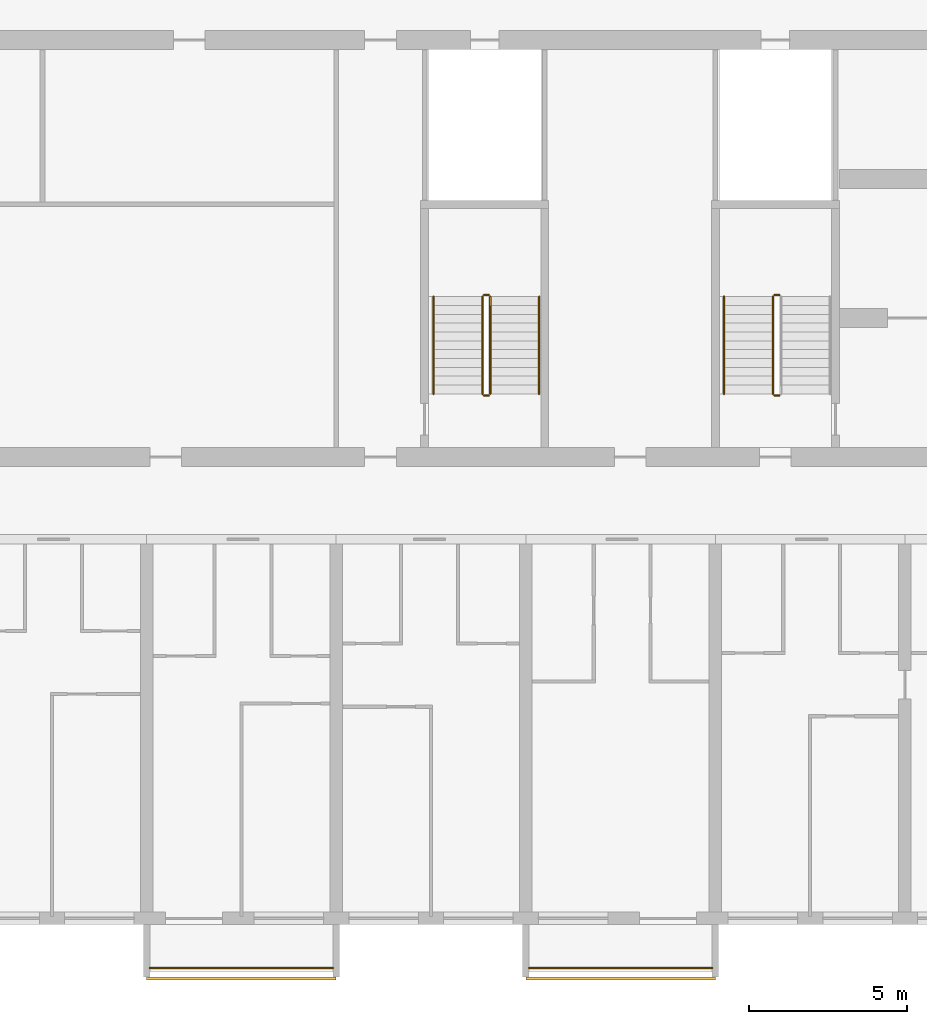
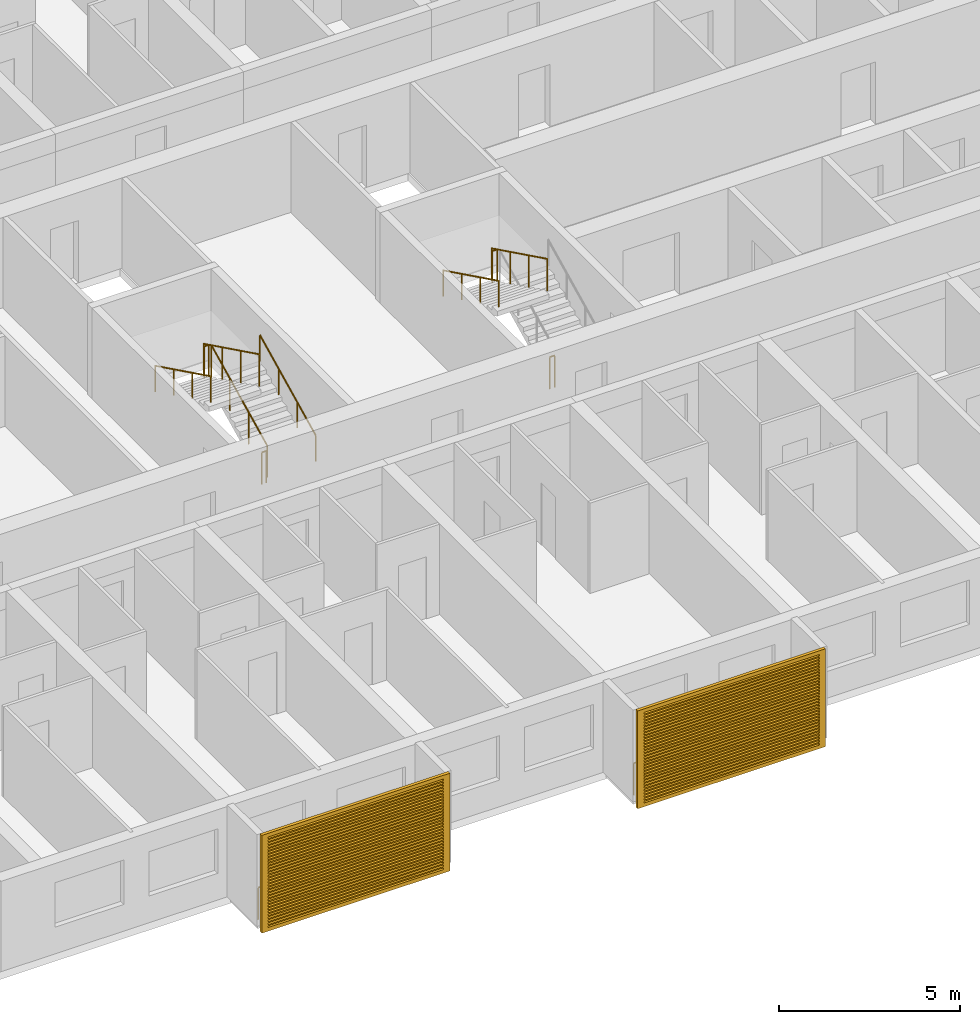
# One storey, part 19 of 40: 12 railings, 2 shading devices.
"""IFC4 building model written with IfcOpenShell, lengths in metres."""

from ifc_helpers import new_model, si_unit, direction, frame, origin, origin_2d, place, context, subcontext, project, spatial, polyline, circle, outline, extrude, source, transform, mapped, material, material_profile, profile_set, type_object, element, save


model = new_model("IFC4")

# Units and contexts
model_context = context("Model", 3, precision=1e-05, world=origin(), true_north=direction((0.0, 1.0)))
body_context = subcontext(model_context, "Body", "Model", "MODEL_VIEW")
ifc_project = project(units=[si_unit("LENGTHUNIT", "METRE"), si_unit("AREAUNIT", "SQUARE_METRE"), si_unit("VOLUMEUNIT", "CUBIC_METRE"), si_unit("PLANEANGLEUNIT", "RADIAN"), si_unit("MASSUNIT", "GRAM", prefix="KILO")], contexts=[model_context])

# Site, building, storey
site_placement = place(None, origin())
site = spatial("IfcSite", under=ifc_project, at=site_placement, CompositionType="ELEMENT")
building_placement = place(site_placement, origin())
building = spatial("IfcBuilding", under=site, at=building_placement, Name="Poui Terraces", CompositionType="ELEMENT")
storey_placement = place(building_placement, frame((0.0, 0.0, 36.60009765625)))
storey = spatial("IfcBuildingStorey", under=building, at=storey_placement, Name="L09", CompositionType="ELEMENT", Elevation=36.60009765625)

# Railings
ifc_material_1 = material(Name="Painted steel fretwork", Category="steel")
railing_type_1 = type_object("IfcRailingType", Name="BALCONY GUARD 1100", PredefinedType="GUARDRAIL", material=ifc_material_1)
for number, where, name in (
    (1, (12.10009765625, -1.570068359375, 0.0), "BALCONY GUARD"),
    (2, (24.10009765625, -1.570068359375, 0.0), "BALCONY GUARD"),
):
    element("IfcRailing", number, at=place(storey_placement, frame(where)), inside=storey, type_object=railing_type_1, Name=name, PredefinedType="GUARDRAIL", context=body_context, shape_type="SweptSolid", body=[
        extrude(circle(Radius=0.02392578125, at=origin_2d()), frame((0.0, 0.0, 1.076171875), z_axis=(1.0, 0.0, 0.0), x_axis=(0.0, 1.0, 0.0)), (0.0, 0.0, 1.0), 5.7998046875),
        extrude(circle(Radius=0.02099609375, at=origin_2d()), origin(), (0.0, 0.0, 1.0), 1.052001953125),
        extrude(circle(Radius=0.02099609375, at=origin_2d()), frame((0.966552734375, 0.0, 0.0)), (0.0, 0.0, 1.0), 1.052001953125),
        extrude(circle(Radius=0.02099609375, at=origin_2d()), frame((1.933349609375, 0.0, 0.0)), (0.0, 0.0, 1.0), 1.052001953125),
        extrude(circle(Radius=0.02099609375, at=origin_2d()), frame((2.89990234375, 0.0, 0.0)), (0.0, 0.0, 1.0), 1.052001953125),
        extrude(circle(Radius=0.02099609375, at=origin_2d()), frame((3.866455078125, 0.0, 0.0)), (0.0, 0.0, 1.0), 1.052001953125),
        extrude(circle(Radius=0.02099609375, at=origin_2d()), frame((4.833251953125, 0.0, 0.0)), (0.0, 0.0, 1.0), 1.052001953125),
        extrude(circle(Radius=0.02099609375, at=origin_2d()), frame((5.7998046875, 0.0, 0.0)), (0.0, 0.0, 1.0), 1.052001953125),
    ])
ifc_material_2 = material(Name="Galvanised steel balustrade", Category="steel")
railing_type_2 = type_object("IfcRailingType", Name="STAIR GUARD 1100", PredefinedType="GUARDRAIL", material=ifc_material_2)
railing_1_placement = place(storey_placement, frame((32.02490234375, 19.72998046875, 1.64990234375)))
element("IfcRailing", 3, at=railing_1_placement, inside=storey, type_object=railing_type_2, Name="L09 ST-CW stair guard 2", PredefinedType="GUARDRAIL", context=body_context, shape_type="SweptSolid", body=[
    extrude(circle(Radius=0.02392578125, at=origin_2d()), frame((0.0, 0.0, 1.076171875), z_axis=(-1.0, 0.0, 0.0), x_axis=(0.0, -1.0, 0.0)), (0.0, 0.0, 1.0), 0.14990234375),
    extrude(circle(Radius=0.02099609375, at=origin_2d()), origin(), (0.0, 0.0, 1.0), 1.052001953125),
    extrude(circle(Radius=0.02099609375, at=origin_2d()), frame((-0.14990234375, 0.0, 0.0)), (0.0, 0.0, 1.0), 1.052001953125),
])
railing_2_placement = place(storey_placement, frame((31.824951171875, 19.679931640625, 1.787353515625)))
element("IfcRailing", 4, at=railing_2_placement, inside=storey, type_object=railing_type_2, Name="L09 ST-CW stair guard 3", PredefinedType="GUARDRAIL", context=body_context, shape_type="SweptSolid", body=[
    extrude(circle(Radius=0.02392578125, at=origin_2d()), frame((0.0, 0.0, 1.076171875), z_axis=(0.0, -0.897606190399, 0.440798283751), x_axis=(1.0, 0.0, 0.0)), (0.0, 0.0, 1.0), 3.43115234375),
    extrude(circle(Radius=0.02099609375, at=origin_2d()), origin(), (0.0, 0.0, 1.0), 1.052001953125),
    extrude(circle(Radius=0.02099609375, at=origin_2d()), frame((0.0, -1.026611328125, 0.504150390625)), (0.0, 0.0, 1.0), 1.052001953125),
    extrude(circle(Radius=0.02099609375, at=origin_2d()), frame((0.0, -2.05322265625, 1.00830078125)), (0.0, 0.0, 1.0), 1.052001953125),
    extrude(circle(Radius=0.02099609375, at=origin_2d()), frame((0.0, -3.079833984375, 1.512451171875)), (0.0, 0.0, 1.0), 1.052001953125),
])
railing_3_placement = place(storey_placement, frame((32.02490234375, 16.550048828125, 0.0)))
element("IfcRailing", 5, at=railing_3_placement, inside=storey, type_object=railing_type_2, Name="L09 ST-CW stair guard 4", PredefinedType="GUARDRAIL", context=body_context, shape_type="SweptSolid", body=[
    extrude(circle(Radius=0.02392578125, at=origin_2d()), frame((0.0, 0.0, 1.076171875), z_axis=(-1.0, 0.0, 0.0), x_axis=(0.0, -1.0, 0.0)), (0.0, 0.0, 1.0), 0.14990234375),
    extrude(circle(Radius=0.02099609375, at=origin_2d()), origin(), (0.0, 0.0, 1.0), 1.052001953125),
    extrude(circle(Radius=0.02099609375, at=origin_2d()), frame((-0.14990234375, 0.0, 0.0)), (0.0, 0.0, 1.0), 1.052001953125),
])
railing_4_placement = place(storey_placement, frame((22.875, 16.60009765625, 0.137451171875)))
element("IfcRailing", 6, at=railing_4_placement, inside=storey, type_object=railing_type_2, Name="L09 ST-W stair guard 1", PredefinedType="GUARDRAIL", context=body_context, shape_type="SweptSolid", body=[
    extrude(circle(Radius=0.02392578125, at=origin_2d()), frame((0.0, 0.0, 1.076171875), z_axis=(0.0, 0.897606190399, 0.440798283751), x_axis=(-1.0, 0.0, 0.0)), (0.0, 0.0, 1.0), 3.43115234375),
    extrude(circle(Radius=0.02099609375, at=origin_2d()), origin(), (0.0, 0.0, 1.0), 1.052001953125),
    extrude(circle(Radius=0.02099609375, at=origin_2d()), frame((0.0, 1.026611328125, 0.504150390625)), (0.0, 0.0, 1.0), 1.052001953125),
    extrude(circle(Radius=0.02099609375, at=origin_2d()), frame((0.0, 2.05322265625, 1.00830078125)), (0.0, 0.0, 1.0), 1.052001953125),
    extrude(circle(Radius=0.02099609375, at=origin_2d()), frame((0.0, 3.079833984375, 1.512451171875)), (0.0, 0.0, 1.0), 1.052001953125),
])
railing_5_placement = place(storey_placement, frame((22.824951171875, 19.72998046875, 1.64990234375)))
element("IfcRailing", 7, at=railing_5_placement, inside=storey, type_object=railing_type_2, Name="L09 ST-W stair guard 2", PredefinedType="GUARDRAIL", context=body_context, shape_type="SweptSolid", body=[
    extrude(circle(Radius=0.02392578125, at=origin_2d()), frame((0.0, 0.0, 1.076171875), z_axis=(-1.0, 0.0, 0.0), x_axis=(0.0, -1.0, 0.0)), (0.0, 0.0, 1.0), 0.14990234375),
    extrude(circle(Radius=0.02099609375, at=origin_2d()), origin(), (0.0, 0.0, 1.0), 1.052001953125),
    extrude(circle(Radius=0.02099609375, at=origin_2d()), frame((-0.14990234375, 0.0, 0.0)), (0.0, 0.0, 1.0), 1.052001953125),
])
railing_6_placement = place(storey_placement, frame((22.625, 19.679931640625, 1.787353515625)))
element("IfcRailing", 8, at=railing_6_placement, inside=storey, type_object=railing_type_2, Name="L09 ST-W stair guard 3", PredefinedType="GUARDRAIL", context=body_context, shape_type="SweptSolid", body=[
    extrude(circle(Radius=0.02392578125, at=origin_2d()), frame((0.0, 0.0, 1.076171875), z_axis=(0.0, -0.897606190399, 0.440798283751), x_axis=(1.0, 0.0, 0.0)), (0.0, 0.0, 1.0), 3.43115234375),
    extrude(circle(Radius=0.02099609375, at=origin_2d()), origin(), (0.0, 0.0, 1.0), 1.052001953125),
    extrude(circle(Radius=0.02099609375, at=origin_2d()), frame((0.0, -1.026611328125, 0.504150390625)), (0.0, 0.0, 1.0), 1.052001953125),
    extrude(circle(Radius=0.02099609375, at=origin_2d()), frame((0.0, -2.05322265625, 1.00830078125)), (0.0, 0.0, 1.0), 1.052001953125),
    extrude(circle(Radius=0.02099609375, at=origin_2d()), frame((0.0, -3.079833984375, 1.512451171875)), (0.0, 0.0, 1.0), 1.052001953125),
])
railing_7_placement = place(storey_placement, frame((22.824951171875, 16.550048828125, 0.0)))
element("IfcRailing", 9, at=railing_7_placement, inside=storey, type_object=railing_type_2, Name="L09 ST-W stair guard 4", PredefinedType="GUARDRAIL", context=body_context, shape_type="SweptSolid", body=[
    extrude(circle(Radius=0.02392578125, at=origin_2d()), frame((0.0, 0.0, 1.076171875), z_axis=(-1.0, 0.0, 0.0), x_axis=(0.0, -1.0, 0.0)), (0.0, 0.0, 1.0), 0.14990234375),
    extrude(circle(Radius=0.02099609375, at=origin_2d()), origin(), (0.0, 0.0, 1.0), 1.052001953125),
    extrude(circle(Radius=0.02099609375, at=origin_2d()), frame((-0.14990234375, 0.0, 0.0)), (0.0, 0.0, 1.0), 1.052001953125),
])
ifc_material_3 = material(Name="Stainless steel handrail", Category="steel")
railing_type_3 = type_object("IfcRailingType", Name="STAIR HANDRAIL 900", PredefinedType="HANDRAIL", material=ifc_material_3)
railing_8_placement = place(storey_placement, frame((30.27490234375, 19.679931640625, 1.787353515625)))
element("IfcRailing", 10, at=railing_8_placement, inside=storey, type_object=railing_type_3, Name="L09 ST-CW stair handrail 2", PredefinedType="HANDRAIL", context=body_context, shape_type="SweptSolid", body=[
    extrude(circle(Radius=0.02392578125, at=origin_2d()), frame((0.0, 0.0, 0.8759765625), z_axis=(0.0, -0.897606190399, 0.440798283751), x_axis=(1.0, 0.0, 0.0)), (0.0, 0.0, 1.0), 3.43115234375),
    extrude(circle(Radius=0.02099609375, at=origin_2d()), origin(), (0.0, 0.0, 1.0), 0.851806640625),
    extrude(circle(Radius=0.02099609375, at=origin_2d()), frame((0.0, -1.026611328125, 0.504150390625)), (0.0, 0.0, 1.0), 0.851806640625),
    extrude(circle(Radius=0.02099609375, at=origin_2d()), frame((0.0, -2.05322265625, 1.00830078125)), (0.0, 0.0, 1.0), 0.851806640625),
    extrude(circle(Radius=0.02099609375, at=origin_2d()), frame((0.0, -3.079833984375, 1.512451171875)), (0.0, 0.0, 1.0), 0.851806640625),
])
railing_9_placement = place(storey_placement, frame((24.425048828125, 16.60009765625, 0.137451171875)))
element("IfcRailing", 11, at=railing_9_placement, inside=storey, type_object=railing_type_3, Name="L09 ST-W stair handrail 1", PredefinedType="HANDRAIL", context=body_context, shape_type="SweptSolid", body=[
    extrude(circle(Radius=0.02392578125, at=origin_2d()), frame((0.0, 0.0, 0.8759765625), z_axis=(0.0, 0.897606190399, 0.440798283751), x_axis=(-1.0, 0.0, 0.0)), (0.0, 0.0, 1.0), 3.43115234375),
    extrude(circle(Radius=0.02099609375, at=origin_2d()), origin(), (0.0, 0.0, 1.0), 0.851806640625),
    extrude(circle(Radius=0.02099609375, at=origin_2d()), frame((0.0, 1.026611328125, 0.504150390625)), (0.0, 0.0, 1.0), 0.851806640625),
    extrude(circle(Radius=0.02099609375, at=origin_2d()), frame((0.0, 2.05322265625, 1.00830078125)), (0.0, 0.0, 1.0), 0.851806640625),
    extrude(circle(Radius=0.02099609375, at=origin_2d()), frame((0.0, 3.079833984375, 1.512451171875)), (0.0, 0.0, 1.0), 0.851806640625),
])
railing_10_placement = place(storey_placement, frame((21.074951171875, 19.679931640625, 1.787353515625)))
element("IfcRailing", 12, at=railing_10_placement, inside=storey, type_object=railing_type_3, Name="L09 ST-W stair handrail 2", PredefinedType="HANDRAIL", context=body_context, shape_type="SweptSolid", body=[
    extrude(circle(Radius=0.02392578125, at=origin_2d()), frame((0.0, 0.0, 0.8759765625), z_axis=(0.0, -0.897606190399, 0.440798283751), x_axis=(1.0, 0.0, 0.0)), (0.0, 0.0, 1.0), 3.43115234375),
    extrude(circle(Radius=0.02099609375, at=origin_2d()), origin(), (0.0, 0.0, 1.0), 0.851806640625),
    extrude(circle(Radius=0.02099609375, at=origin_2d()), frame((0.0, -1.026611328125, 0.504150390625)), (0.0, 0.0, 1.0), 0.851806640625),
    extrude(circle(Radius=0.02099609375, at=origin_2d()), frame((0.0, -2.05322265625, 1.00830078125)), (0.0, 0.0, 1.0), 0.851806640625),
    extrude(circle(Radius=0.02099609375, at=origin_2d()), frame((0.0, -3.079833984375, 1.512451171875)), (0.0, 0.0, 1.0), 0.851806640625),
])

# Shading devices
ifc_material_4 = material(Name="Aluminium louvre", Category="aluminium")
ifc_material_profile = material_profile(ifc_material_4, outline(polyline([(-3.0, -1.64990234375), (3.0, -1.64990234375), (3.0, 1.64990234375), (-3.0, 1.64990234375), (-3.0, -1.64990234375)]), holes=[polyline([(-2.800048828125, -1.530029296875), (2.800048828125, -1.530029296875), (2.800048828125, -1.469970703125), (-2.800048828125, -1.469970703125), (-2.800048828125, -1.530029296875)]), polyline([(-2.800048828125, -1.429931640625), (2.800048828125, -1.429931640625), (2.800048828125, -1.3701171875), (-2.800048828125, -1.3701171875), (-2.800048828125, -1.429931640625)]), polyline([(-2.800048828125, -1.330078125), (2.800048828125, -1.330078125), (2.800048828125, -1.27001953125), (-2.800048828125, -1.27001953125), (-2.800048828125, -1.330078125)]), polyline([(-2.800048828125, -1.22998046875), (2.800048828125, -1.22998046875), (2.800048828125, -1.169921875), (-2.800048828125, -1.169921875), (-2.800048828125, -1.22998046875)]), polyline([(-2.800048828125, -1.1298828125), (2.800048828125, -1.1298828125), (2.800048828125, -1.070068359375), (-2.800048828125, -1.070068359375), (-2.800048828125, -1.1298828125)]), polyline([(-2.800048828125, -1.030029296875), (2.800048828125, -1.030029296875), (2.800048828125, -0.969970703125), (-2.800048828125, -0.969970703125), (-2.800048828125, -1.030029296875)]), polyline([(-2.800048828125, -0.929931640625), (2.800048828125, -0.929931640625), (2.800048828125, -0.8701171875), (-2.800048828125, -0.8701171875), (-2.800048828125, -0.929931640625)]), polyline([(-2.800048828125, -0.830078125), (2.800048828125, -0.830078125), (2.800048828125, -0.77001953125), (-2.800048828125, -0.77001953125), (-2.800048828125, -0.830078125)]), polyline([(-2.800048828125, -0.72998046875), (2.800048828125, -0.72998046875), (2.800048828125, -0.669921875), (-2.800048828125, -0.669921875), (-2.800048828125, -0.72998046875)]), polyline([(-2.800048828125, -0.6298828125), (2.800048828125, -0.6298828125), (2.800048828125, -0.570068359375), (-2.800048828125, -0.570068359375), (-2.800048828125, -0.6298828125)]), polyline([(-2.800048828125, -0.530029296875), (2.800048828125, -0.530029296875), (2.800048828125, -0.469970703125), (-2.800048828125, -0.469970703125), (-2.800048828125, -0.530029296875)]), polyline([(-2.800048828125, -0.429931640625), (2.800048828125, -0.429931640625), (2.800048828125, -0.3701171875), (-2.800048828125, -0.3701171875), (-2.800048828125, -0.429931640625)]), polyline([(-2.800048828125, -0.330078125), (2.800048828125, -0.330078125), (2.800048828125, -0.27001953125), (-2.800048828125, -0.27001953125), (-2.800048828125, -0.330078125)]), polyline([(-2.800048828125, -0.22998046875), (2.800048828125, -0.22998046875), (2.800048828125, -0.169921875), (-2.800048828125, -0.169921875), (-2.800048828125, -0.22998046875)]), polyline([(-2.800048828125, -0.1298828125), (2.800048828125, -0.1298828125), (2.800048828125, -0.070068359375), (-2.800048828125, -0.070068359375), (-2.800048828125, -0.1298828125)]), polyline([(-2.800048828125, -0.030029296875), (2.800048828125, -0.030029296875), (2.800048828125, 0.030029296875), (-2.800048828125, 0.030029296875), (-2.800048828125, -0.030029296875)]), polyline([(-2.800048828125, 0.070068359375), (2.800048828125, 0.070068359375), (2.800048828125, 0.1298828125), (-2.800048828125, 0.1298828125), (-2.800048828125, 0.070068359375)]), polyline([(-2.800048828125, 0.169921875), (2.800048828125, 0.169921875), (2.800048828125, 0.22998046875), (-2.800048828125, 0.22998046875), (-2.800048828125, 0.169921875)]), polyline([(-2.800048828125, 0.27001953125), (2.800048828125, 0.27001953125), (2.800048828125, 0.330078125), (-2.800048828125, 0.330078125), (-2.800048828125, 0.27001953125)]), polyline([(-2.800048828125, 0.3701171875), (2.800048828125, 0.3701171875), (2.800048828125, 0.429931640625), (-2.800048828125, 0.429931640625), (-2.800048828125, 0.3701171875)]), polyline([(-2.800048828125, 0.469970703125), (2.800048828125, 0.469970703125), (2.800048828125, 0.530029296875), (-2.800048828125, 0.530029296875), (-2.800048828125, 0.469970703125)]), polyline([(-2.800048828125, 0.570068359375), (2.800048828125, 0.570068359375), (2.800048828125, 0.6298828125), (-2.800048828125, 0.6298828125), (-2.800048828125, 0.570068359375)]), polyline([(-2.800048828125, 0.669921875), (2.800048828125, 0.669921875), (2.800048828125, 0.72998046875), (-2.800048828125, 0.72998046875), (-2.800048828125, 0.669921875)]), polyline([(-2.800048828125, 0.77001953125), (2.800048828125, 0.77001953125), (2.800048828125, 0.830078125), (-2.800048828125, 0.830078125), (-2.800048828125, 0.77001953125)]), polyline([(-2.800048828125, 0.8701171875), (2.800048828125, 0.8701171875), (2.800048828125, 0.929931640625), (-2.800048828125, 0.929931640625), (-2.800048828125, 0.8701171875)]), polyline([(-2.800048828125, 0.969970703125), (2.800048828125, 0.969970703125), (2.800048828125, 1.030029296875), (-2.800048828125, 1.030029296875), (-2.800048828125, 0.969970703125)]), polyline([(-2.800048828125, 1.070068359375), (2.800048828125, 1.070068359375), (2.800048828125, 1.1298828125), (-2.800048828125, 1.1298828125), (-2.800048828125, 1.070068359375)]), polyline([(-2.800048828125, 1.169921875), (2.800048828125, 1.169921875), (2.800048828125, 1.22998046875), (-2.800048828125, 1.22998046875), (-2.800048828125, 1.169921875)]), polyline([(-2.800048828125, 1.27001953125), (2.800048828125, 1.27001953125), (2.800048828125, 1.330078125), (-2.800048828125, 1.330078125), (-2.800048828125, 1.27001953125)]), polyline([(-2.800048828125, 1.3701171875), (2.800048828125, 1.3701171875), (2.800048828125, 1.429931640625), (-2.800048828125, 1.429931640625), (-2.800048828125, 1.3701171875)]), polyline([(-2.800048828125, 1.469970703125), (2.800048828125, 1.469970703125), (2.800048828125, 1.530029296875), (-2.800048828125, 1.530029296875), (-2.800048828125, 1.469970703125)])]), Name="JALOUSIE LOUVRE SHUTTER 6000X3300")
ifc_profile_set = profile_set([ifc_material_profile], Name="Aluminium louvre")
shading_device_type = type_object("IfcShadingDeviceType", Name="JALOUSIE LOUVRE SHUTTER 6000X3300", PredefinedType="JALOUSIE", material=ifc_profile_set)
shared_shape = source(origin(), body_context, "Body", "SweptSolid", [
    extrude(outline(polyline([(-3.0, -1.64990234375), (3.0, -1.64990234375), (3.0, 1.64990234375), (-3.0, 1.64990234375), (-3.0, -1.64990234375)]), holes=[polyline([(-2.800048828125, -1.530029296875), (2.800048828125, -1.530029296875), (2.800048828125, -1.469970703125), (-2.800048828125, -1.469970703125), (-2.800048828125, -1.530029296875)]), polyline([(-2.800048828125, -1.429931640625), (2.800048828125, -1.429931640625), (2.800048828125, -1.3701171875), (-2.800048828125, -1.3701171875), (-2.800048828125, -1.429931640625)]), polyline([(-2.800048828125, -1.330078125), (2.800048828125, -1.330078125), (2.800048828125, -1.27001953125), (-2.800048828125, -1.27001953125), (-2.800048828125, -1.330078125)]), polyline([(-2.800048828125, -1.22998046875), (2.800048828125, -1.22998046875), (2.800048828125, -1.169921875), (-2.800048828125, -1.169921875), (-2.800048828125, -1.22998046875)]), polyline([(-2.800048828125, -1.1298828125), (2.800048828125, -1.1298828125), (2.800048828125, -1.070068359375), (-2.800048828125, -1.070068359375), (-2.800048828125, -1.1298828125)]), polyline([(-2.800048828125, -1.030029296875), (2.800048828125, -1.030029296875), (2.800048828125, -0.969970703125), (-2.800048828125, -0.969970703125), (-2.800048828125, -1.030029296875)]), polyline([(-2.800048828125, -0.929931640625), (2.800048828125, -0.929931640625), (2.800048828125, -0.8701171875), (-2.800048828125, -0.8701171875), (-2.800048828125, -0.929931640625)]), polyline([(-2.800048828125, -0.830078125), (2.800048828125, -0.830078125), (2.800048828125, -0.77001953125), (-2.800048828125, -0.77001953125), (-2.800048828125, -0.830078125)]), polyline([(-2.800048828125, -0.72998046875), (2.800048828125, -0.72998046875), (2.800048828125, -0.669921875), (-2.800048828125, -0.669921875), (-2.800048828125, -0.72998046875)]), polyline([(-2.800048828125, -0.6298828125), (2.800048828125, -0.6298828125), (2.800048828125, -0.570068359375), (-2.800048828125, -0.570068359375), (-2.800048828125, -0.6298828125)]), polyline([(-2.800048828125, -0.530029296875), (2.800048828125, -0.530029296875), (2.800048828125, -0.469970703125), (-2.800048828125, -0.469970703125), (-2.800048828125, -0.530029296875)]), polyline([(-2.800048828125, -0.429931640625), (2.800048828125, -0.429931640625), (2.800048828125, -0.3701171875), (-2.800048828125, -0.3701171875), (-2.800048828125, -0.429931640625)]), polyline([(-2.800048828125, -0.330078125), (2.800048828125, -0.330078125), (2.800048828125, -0.27001953125), (-2.800048828125, -0.27001953125), (-2.800048828125, -0.330078125)]), polyline([(-2.800048828125, -0.22998046875), (2.800048828125, -0.22998046875), (2.800048828125, -0.169921875), (-2.800048828125, -0.169921875), (-2.800048828125, -0.22998046875)]), polyline([(-2.800048828125, -0.1298828125), (2.800048828125, -0.1298828125), (2.800048828125, -0.070068359375), (-2.800048828125, -0.070068359375), (-2.800048828125, -0.1298828125)]), polyline([(-2.800048828125, -0.030029296875), (2.800048828125, -0.030029296875), (2.800048828125, 0.030029296875), (-2.800048828125, 0.030029296875), (-2.800048828125, -0.030029296875)]), polyline([(-2.800048828125, 0.070068359375), (2.800048828125, 0.070068359375), (2.800048828125, 0.1298828125), (-2.800048828125, 0.1298828125), (-2.800048828125, 0.070068359375)]), polyline([(-2.800048828125, 0.169921875), (2.800048828125, 0.169921875), (2.800048828125, 0.22998046875), (-2.800048828125, 0.22998046875), (-2.800048828125, 0.169921875)]), polyline([(-2.800048828125, 0.27001953125), (2.800048828125, 0.27001953125), (2.800048828125, 0.330078125), (-2.800048828125, 0.330078125), (-2.800048828125, 0.27001953125)]), polyline([(-2.800048828125, 0.3701171875), (2.800048828125, 0.3701171875), (2.800048828125, 0.429931640625), (-2.800048828125, 0.429931640625), (-2.800048828125, 0.3701171875)]), polyline([(-2.800048828125, 0.469970703125), (2.800048828125, 0.469970703125), (2.800048828125, 0.530029296875), (-2.800048828125, 0.530029296875), (-2.800048828125, 0.469970703125)]), polyline([(-2.800048828125, 0.570068359375), (2.800048828125, 0.570068359375), (2.800048828125, 0.6298828125), (-2.800048828125, 0.6298828125), (-2.800048828125, 0.570068359375)]), polyline([(-2.800048828125, 0.669921875), (2.800048828125, 0.669921875), (2.800048828125, 0.72998046875), (-2.800048828125, 0.72998046875), (-2.800048828125, 0.669921875)]), polyline([(-2.800048828125, 0.77001953125), (2.800048828125, 0.77001953125), (2.800048828125, 0.830078125), (-2.800048828125, 0.830078125), (-2.800048828125, 0.77001953125)]), polyline([(-2.800048828125, 0.8701171875), (2.800048828125, 0.8701171875), (2.800048828125, 0.929931640625), (-2.800048828125, 0.929931640625), (-2.800048828125, 0.8701171875)]), polyline([(-2.800048828125, 0.969970703125), (2.800048828125, 0.969970703125), (2.800048828125, 1.030029296875), (-2.800048828125, 1.030029296875), (-2.800048828125, 0.969970703125)]), polyline([(-2.800048828125, 1.070068359375), (2.800048828125, 1.070068359375), (2.800048828125, 1.1298828125), (-2.800048828125, 1.1298828125), (-2.800048828125, 1.070068359375)]), polyline([(-2.800048828125, 1.169921875), (2.800048828125, 1.169921875), (2.800048828125, 1.22998046875), (-2.800048828125, 1.22998046875), (-2.800048828125, 1.169921875)]), polyline([(-2.800048828125, 1.27001953125), (2.800048828125, 1.27001953125), (2.800048828125, 1.330078125), (-2.800048828125, 1.330078125), (-2.800048828125, 1.27001953125)]), polyline([(-2.800048828125, 1.3701171875), (2.800048828125, 1.3701171875), (2.800048828125, 1.429931640625), (-2.800048828125, 1.429931640625), (-2.800048828125, 1.3701171875)]), polyline([(-2.800048828125, 1.469970703125), (2.800048828125, 1.469970703125), (2.800048828125, 1.530029296875), (-2.800048828125, 1.530029296875), (-2.800048828125, 1.469970703125)])]), origin(), (0.0, 0.0, 1.0), 0.099853515625),
])
for number, where, z_axis, x_axis, name in (
    (13, (15.0, -1.85009765625, 1.449951171875), (0.0, -1.0, 0.0), (1.0, 0.0, 0.0), "JALOUSIE LOUVRE SHUTTER"),
    (14, (27.0, -1.85009765625, 1.449951171875), (0.0, -1.0, 0.0), (1.0, 0.0, 0.0), "JALOUSIE LOUVRE SHUTTER"),
):
    element("IfcShadingDevice", number, at=place(storey_placement, frame(where, z_axis=z_axis, x_axis=x_axis)), inside=storey, type_object=shading_device_type, Name=name, PredefinedType="JALOUSIE", context=body_context, shape_type="MappedRepresentation", body=[
        mapped(shared_shape, transform((0.0, 0.0, 0.0))),
    ])

save(model, "model.ifc")
